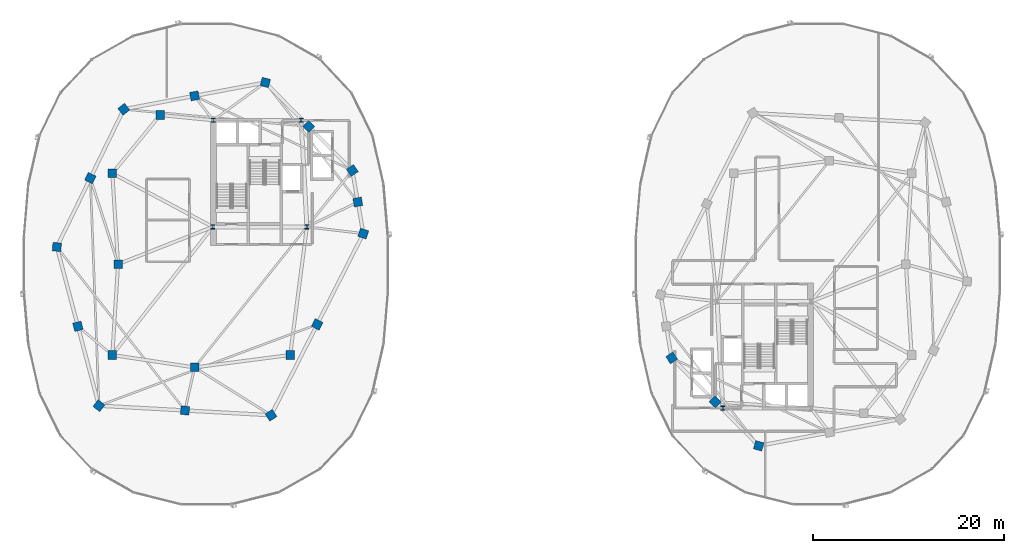
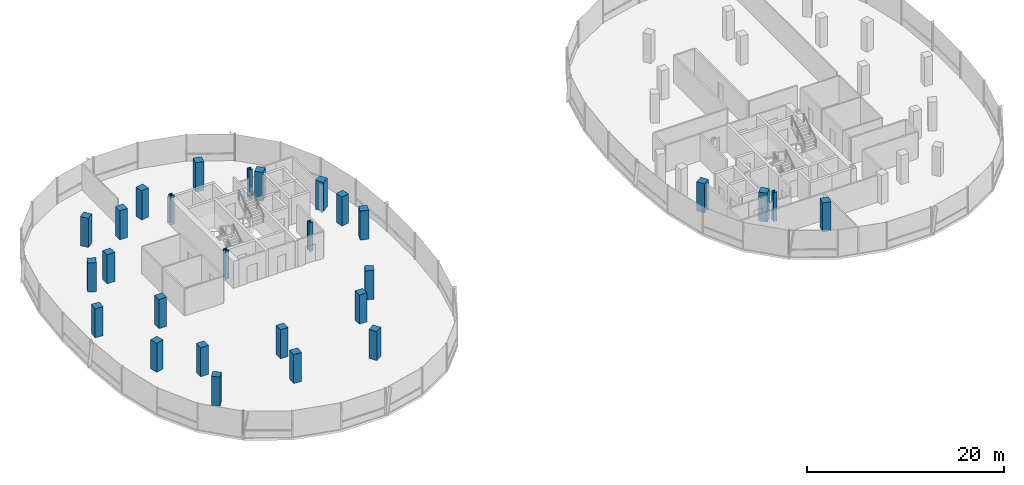
# One storey, part 1 of 24: 28 columns.
"""IFC4 building model written with IfcOpenShell, lengths in metres."""

from ifc_helpers import new_model, si_unit, direction, frame, origin, origin_2d, place, context, subcontext, project, spatial, rectangle, i_section, extrude, material, material_profile, profile_set, type_object, element, save


model = new_model("IFC4")

# Units and contexts
model_context = context("Model", 3, precision=1e-05, world=origin(), true_north=direction((0.0, 1.0)))
body_context = subcontext(model_context, "Body", "Model", "MODEL_VIEW")
ifc_project = project(units=[si_unit("LENGTHUNIT", "METRE"), si_unit("AREAUNIT", "SQUARE_METRE"), si_unit("VOLUMEUNIT", "CUBIC_METRE"), si_unit("PLANEANGLEUNIT", "RADIAN"), si_unit("MASSUNIT", "GRAM", prefix="KILO"), si_unit("THERMODYNAMICTEMPERATUREUNIT", "KELVIN"), si_unit("POWERUNIT", "WATT")], contexts=[model_context])

# Site, building, storey
site_placement = place(None, origin())
site = spatial("IfcSite", under=ifc_project, at=site_placement, CompositionType="ELEMENT")
building_placement = place(site_placement, origin())
building = spatial("IfcBuilding", under=site, at=building_placement, Name="Cundina Bronze Exchange", CompositionType="ELEMENT")
storey_placement = place(building_placement, frame((0.0, 0.0, 231.39990234375)))
storey = spatial("IfcBuildingStorey", under=building, at=storey_placement, Name="L61", CompositionType="ELEMENT", Elevation=231.39990234375)

# Columns
ifc_material_1 = material(Name="Steel ASTM A992 Grade 50", Category="steel")
ifc_material_profile_1 = material_profile(ifc_material_1, i_section(OverallWidth=0.416015625, OverallDepth=0.446044921875, WebThickness=0.0390625, FlangeThickness=0.062744140625, FilletRadius=0.01806640625, at=origin_2d()), Name="W14X342", Category="steel")
ifc_profile_set_1 = profile_set([ifc_material_profile_1], Name="Steel ASTM A992 Grade 50")
column_type_1 = type_object("IfcColumnType", Name="COL-STL-W14B", PredefinedType="COLUMN", material=ifc_profile_set_1)
for number, where, z_axis, x_axis, name in (
    (1, (-31.300048828125, 3.89990234375, 0.0), (0.0, 0.0, 1.0), (1.0, 0.0, 0.0), "L61 Core Anchor Column W1"),
    (2, (-21.449951171875, 3.89990234375, 0.0), (0.0, 0.0, 1.0), (1.0, 0.0, 0.0), "L61 Core Anchor Column W2"),
    (3, (-22.050048828125, 15.050048828125, 0.0), (0.0, 0.0, 1.0), (1.0, 0.0, 0.0), "L61 Core Anchor Column W3"),
    (4, (-31.25, 15.050048828125, 0.0), (0.0, 0.0, 1.0), (1.0, 0.0, 0.0), "L61 Core Anchor Column W4"),
    (5, (22.050048828125, -15.050048828125, 0.0), (0.0, 0.0, 1.0), (1.0, 0.0, 0.0), "L61 Core Anchor Column E3"),
):
    element("IfcColumn", number, at=place(storey_placement, frame(where, z_axis=z_axis, x_axis=x_axis)), inside=storey, type_object=column_type_1, Name=name, PredefinedType="COLUMN", context=body_context, shape_type="SweptSolid", body=[
        extrude(i_section(OverallWidth=0.416015625, OverallDepth=0.446044921875, WebThickness=0.0390625, FlangeThickness=0.062744140625, FilletRadius=0.01806640625, at=origin_2d()), origin(), (0.0, 0.0, 1.0), 3.60009765625),
    ])
ifc_material_2 = material(Name="Concrete C50/60", Category="concrete")
ifc_material_profile_2 = material_profile(ifc_material_2, rectangle(XDim=0.89990234375, YDim=0.89990234375, at=origin_2d()), Name="RC900X900", Category="concrete")
ifc_profile_set_2 = profile_set([ifc_material_profile_2], Name="Concrete C50/60")
column_type_2 = type_object("IfcColumnType", Name="COL-Z4-900", PredefinedType="COLUMN", material=ifc_profile_set_2)
for number, where, z_axis, x_axis, name in (
    (6, (-41.199951171875, 0.0, 0.0), (0.0, 0.0, 1.0), (1.0, 0.0, 0.0), "L61 W Inner Ring Column 1"),
    (7, (-41.800048828125, 9.5, 0.0), (0.0, 0.0, 1.0), (1.0, 0.0, 0.0), "L61 W Inner Ring Column 2"),
    (8, (-36.800048828125, 15.60009765625, 0.0), (0.0, 0.0, 1.0), (1.0, 0.0, 0.0), "L61 W Inner Ring Column 3"),
    (9, (-41.800048828125, -9.5, 0.0), (0.0, 0.0, 1.0), (1.0, 0.0, 0.0), "L61 W Inner Ring Column 4"),
    (10, (-33.199951171875, -10.800048828125, 0.0), (0.0, 0.0, 1.0), (1.0, 0.0, 0.0), "L61 W Inner Ring Column 5"),
    (11, (-23.199951171875, -9.5, 0.0), (0.0, 0.0, 1.0), (1.0, 0.0, 0.0), "L61 W Inner Ring Column 6"),
    (12, (-15.550048828125, 3.199951171875, 0.0), (0.0, 0.0, 1.0), (0.315152163383, 0.949041155016, 0.0), "L61 W Perimeter Column 00"),
    (13, (-16.125, 6.5, 0.0), (0.0, 0.0, 1.0), (-0.171585221787, 0.985169280715, 0.0), "L61 W Perimeter Column 01"),
    (14, (-16.699951171875, 9.800048828125, 0.0), (0.0, 0.0, 1.0), (-0.544199833495, 0.838955625301, 0.0), "L61 W Perimeter Column 02"),
    (15, (-21.25, 14.39990234375, 0.0), (0.0, 0.0, 1.0), (-0.703270634186, 0.710922228581, 0.0), "L61 W Perimeter Column 03"),
    (16, (-25.800048828125, 19.0, 0.0), (0.0, 0.0, 1.0), (-0.965970984022, 0.258650455301, 0.0), "L61 W Perimeter Column 04"),
    (17, (-33.199951171875, 17.60009765625, 0.0), (0.0, 0.0, 1.0), (-0.98258037664, -0.185838110843, 0.0), "L61 W Perimeter Column 05"),
    (18, (-40.60009765625, 16.199951171875, 0.0), (0.0, 0.0, 1.0), (-0.785100778485, -0.619368038909, 0.0), "L61 W Perimeter Column 06"),
    (19, (-44.10009765625, 9.0, 0.0), (0.0, 0.0, 1.0), (-0.437115766651, -0.899405251566, 0.0), "L61 W Perimeter Column 07"),
    (20, (-47.60009765625, 1.800048828125, 0.0), (0.0, 0.0, 1.0), (-0.083503921245, -0.996507448611, 0.0), "L61 W Perimeter Column 08"),
    (21, (-45.39990234375, -6.5, 0.0), (0.0, 0.0, 1.0), (0.256289373133, -0.966600102017, 0.0), "L61 W Perimeter Column 09"),
    (22, (-43.199951171875, -14.800048828125, 0.0), (0.0, 0.0, 1.0), (0.786288432137, -0.61785961309, 0.0), "L61 W Perimeter Column 10"),
    (23, (-34.199951171875, -15.300048828125, 0.0), (0.0, 0.0, 1.0), (0.998460188734, -0.055472980025, 0.0), "L61 W Perimeter Column 11"),
    (24, (-25.199951171875, -15.800048828125, 0.0), (0.0, 0.0, 1.0), (0.838099763533, 0.545516989988, 0.0), "L61 W Perimeter Column 12"),
    (25, (-20.375, -6.300048828125, 0.0), (0.0, 0.0, 1.0), (0.452901591366, 0.891560513111, 0.0), "L61 W Perimeter Column 13"),
    (26, (16.699951171875, -9.800048828125, 0.0), (0.0, 0.0, 1.0), (0.544199833495, -0.838955625301, 0.0), "L61 E Perimeter Column 02"),
    (27, (21.25, -14.39990234375, 0.0), (0.0, 0.0, 1.0), (0.703270634186, -0.710922228581, 0.0), "L61 E Perimeter Column 03"),
    (28, (25.800048828125, -19.0, 0.0), (0.0, 0.0, 1.0), (0.965970984022, -0.258650455301, 0.0), "L61 E Perimeter Column 04"),
):
    element("IfcColumn", number, at=place(storey_placement, frame(where, z_axis=z_axis, x_axis=x_axis)), inside=storey, type_object=column_type_2, Name=name, PredefinedType="COLUMN", context=body_context, shape_type="SweptSolid", body=[
        extrude(rectangle(XDim=0.89990234375, YDim=0.89990234375, at=origin_2d()), origin(), (0.0, 0.0, 1.0), 3.60009765625),
    ])

save(model, "model.ifc")
